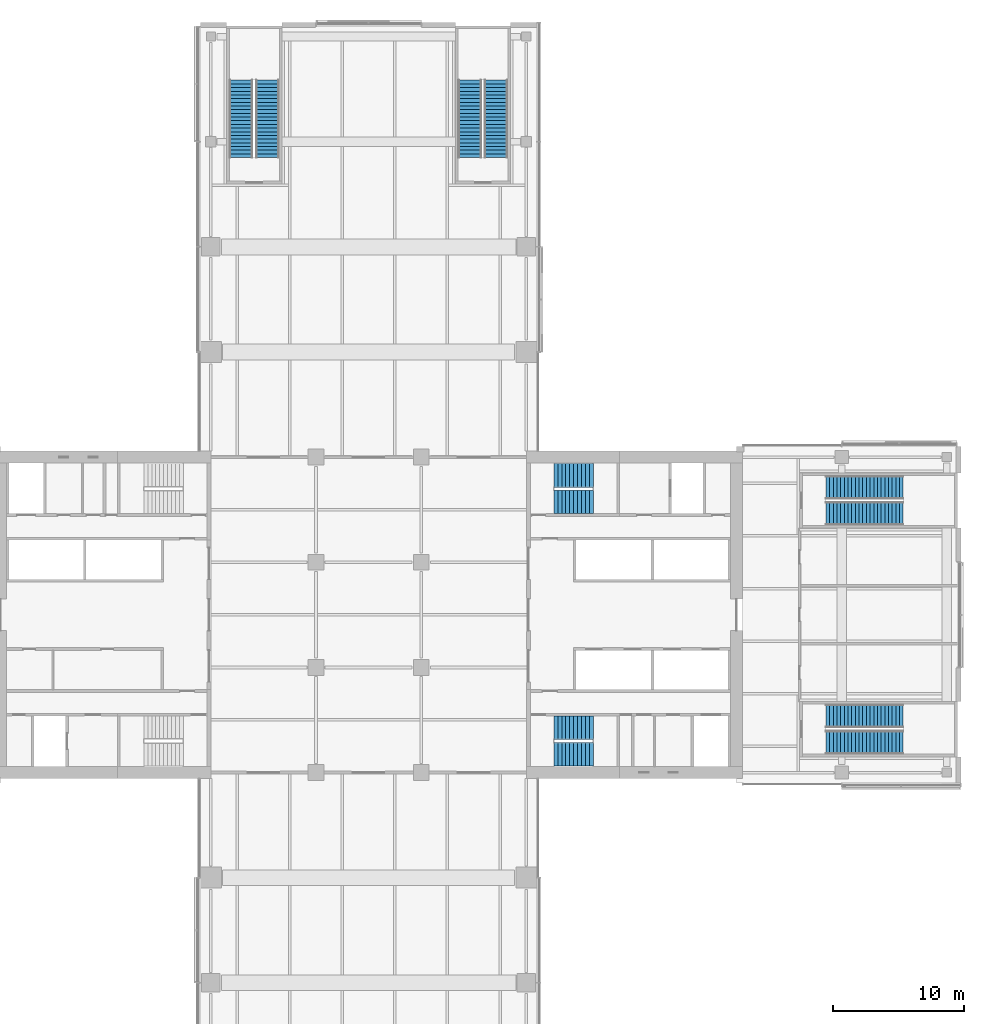
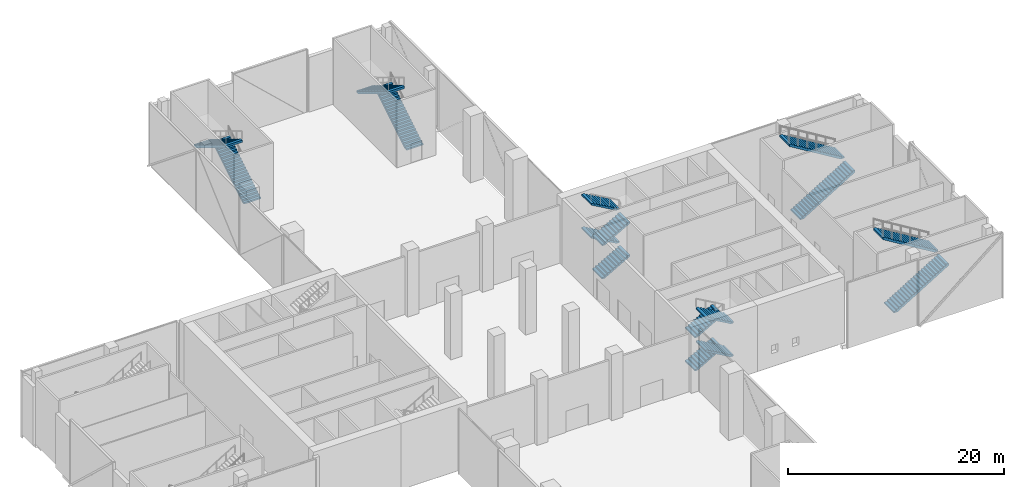
# One storey, part 19 of 25: 16 stair flights, 6 elements without a shape of their own.
"""IFC4 building model written with IfcOpenShell, lengths in metres."""

from ifc_helpers import new_model, si_unit, direction, frame, origin, place, context, subcontext, project, spatial, polyline, outline, extrude, material, type_object, element, aggregate, save


model = new_model("IFC4")

# Units and contexts
model_context = context("Model", 3, precision=1e-05, world=origin(), true_north=direction((0.0, 1.0)))
body_context = subcontext(model_context, "Body", "Model", "MODEL_VIEW")
ifc_project = project(units=[si_unit("LENGTHUNIT", "METRE"), si_unit("AREAUNIT", "SQUARE_METRE"), si_unit("VOLUMEUNIT", "CUBIC_METRE"), si_unit("PLANEANGLEUNIT", "RADIAN"), si_unit("MASSUNIT", "GRAM", prefix="KILO")], contexts=[model_context])

# Site, building, storey
site_placement = place(None, origin())
site = spatial("IfcSite", under=ifc_project, at=site_placement, CompositionType="ELEMENT")
building_placement = place(site_placement, origin())
building = spatial("IfcBuilding", under=site, at=building_placement, Name="Crosswind Convention Tower", CompositionType="ELEMENT")
storey_placement = place(building_placement, frame((0.0, 0.0, 10.0)))
storey = spatial("IfcBuildingStorey", under=building, at=storey_placement, Name="L01", CompositionType="ELEMENT", Elevation=10.0)

# Stair, stair flights
ifc_material = material(Name="Concrete C40/50", Category="concrete")
stair_type_1 = type_object("IfcStairType", Name="PODIUM EXIT STAIR 7500 RISE", PredefinedType="HALF_TURN_STAIR", material=ifc_material)
stair_1_placement = place(storey_placement, origin())
stair_1 = element("IfcStair", 1, at=stair_1_placement, inside=storey, type_object=stair_type_1, Name="Exit stair E1 L01", ObjectType="ST11", PredefinedType="HALF_TURN_STAIR")
stair_flight_type_1 = type_object("IfcStairFlightType", Name="PODIUM STAIR FLIGHT 22 RISERS", PredefinedType="STRAIGHT", material=ifc_material)
stair_flight_1_placement = place(storey_placement, frame((159.800048828125, 90.300048828125, 0.0), z_axis=(0.0, 0.0, 1.0), x_axis=(1.0, 0.0, 0.0)))
stair_flight_1 = element("IfcStairFlight", 2, at=stair_flight_1_placement, type_object=stair_flight_type_1, Name="ST11 flight 1", NumberOfRisers=22, NumberOfTreads=21, PredefinedType="STRAIGHT", RiserHeight=0.170455, TreadLength=0.28, context=body_context, shape_type="SweptSolid", body=[
    extrude(outline(polyline([(0.0, 0.0), (0.0, 0.17041015625), (0.280029296875, 0.17041015625), (0.280029296875, 0.3408203125), (0.56005859375, 0.3408203125), (0.56005859375, 0.511474609375), (0.840087890625, 0.511474609375), (0.840087890625, 0.681884765625), (1.1201171875, 0.681884765625), (1.1201171875, 0.852294921875), (1.39990234375, 0.852294921875), (1.39990234375, 1.022705078125), (1.679931640625, 1.022705078125), (1.679931640625, 1.193115234375), (1.9599609375, 1.193115234375), (1.9599609375, 1.363525390625), (2.239990234375, 1.363525390625), (2.239990234375, 1.5341796875), (2.52001953125, 1.5341796875), (2.52001953125, 1.70458984375), (2.800048828125, 1.70458984375), (2.800048828125, 1.875), (3.080078125, 1.875), (3.080078125, 2.04541015625), (3.360107421875, 2.04541015625), (3.360107421875, 2.2158203125), (3.639892578125, 2.2158203125), (3.639892578125, 2.386474609375), (3.919921875, 2.386474609375), (3.919921875, 2.556884765625), (4.199951171875, 2.556884765625), (4.199951171875, 2.727294921875), (4.47998046875, 2.727294921875), (4.47998046875, 2.897705078125), (4.760009765625, 2.897705078125), (4.760009765625, 3.068115234375), (5.0400390625, 3.068115234375), (5.0400390625, 3.238525390625), (5.320068359375, 3.238525390625), (5.320068359375, 3.4091796875), (5.60009765625, 3.4091796875), (5.60009765625, 3.57958984375), (5.8798828125, 3.57958984375), (5.8798828125, 3.75), (5.8798828125, 3.345458984375), (0.384521484375, 0.0), (0.0, 0.0)])), frame((0.0, 0.89990234375, 0.0), z_axis=(0.0, -1.0, 0.0), x_axis=(1.0, 0.0, 0.0)), (0.0, 0.0, 1.0), 1.800048828125),
])
stair_flight_2_placement = place(storey_placement, frame((165.679931640625, 92.300048828125, 3.75), z_axis=(0.0, 0.0, 1.0), x_axis=(-1.0, 0.0, 0.0)))
stair_flight_2 = element("IfcStairFlight", 3, at=stair_flight_2_placement, type_object=stair_flight_type_1, Name="ST11 flight 2", NumberOfRisers=22, NumberOfTreads=21, PredefinedType="STRAIGHT", RiserHeight=0.170455, TreadLength=0.28, context=body_context, shape_type="SweptSolid", body=[
    extrude(outline(polyline([(0.0, 0.0), (0.0, 0.17041015625), (0.280029296875, 0.17041015625), (0.280029296875, 0.3408203125), (0.56005859375, 0.3408203125), (0.56005859375, 0.511474609375), (0.840087890625, 0.511474609375), (0.840087890625, 0.681884765625), (1.1201171875, 0.681884765625), (1.1201171875, 0.852294921875), (1.39990234375, 0.852294921875), (1.39990234375, 1.022705078125), (1.679931640625, 1.022705078125), (1.679931640625, 1.193115234375), (1.9599609375, 1.193115234375), (1.9599609375, 1.363525390625), (2.239990234375, 1.363525390625), (2.239990234375, 1.5341796875), (2.52001953125, 1.5341796875), (2.52001953125, 1.70458984375), (2.800048828125, 1.70458984375), (2.800048828125, 1.875), (3.080078125, 1.875), (3.080078125, 2.04541015625), (3.360107421875, 2.04541015625), (3.360107421875, 2.2158203125), (3.639892578125, 2.2158203125), (3.639892578125, 2.386474609375), (3.919921875, 2.386474609375), (3.919921875, 2.556884765625), (4.199951171875, 2.556884765625), (4.199951171875, 2.727294921875), (4.47998046875, 2.727294921875), (4.47998046875, 2.897705078125), (4.760009765625, 2.897705078125), (4.760009765625, 3.068115234375), (5.0400390625, 3.068115234375), (5.0400390625, 3.238525390625), (5.320068359375, 3.238525390625), (5.320068359375, 3.4091796875), (5.60009765625, 3.4091796875), (5.60009765625, 3.57958984375), (5.8798828125, 3.57958984375), (5.8798828125, 3.75), (5.8798828125, 3.345458984375), (0.384521484375, 0.0), (0.0, 0.0)])), frame((0.0, 0.89990234375, 0.0), z_axis=(0.0, -1.0, 0.0), x_axis=(1.0, 0.0, 0.0)), (0.0, 0.0, 1.0), 1.800048828125),
])
aggregate(stair_1, [stair_flight_1, stair_flight_2])

stair_2_placement = place(storey_placement, origin())
stair_2 = element("IfcStair", 4, at=stair_2_placement, inside=storey, type_object=stair_type_1, Name="Exit stair E2 L01", ObjectType="ST11", PredefinedType="HALF_TURN_STAIR")
stair_flight_3_placement = place(storey_placement, frame((159.800048828125, 107.699951171875, 0.0), z_axis=(0.0, 0.0, 1.0), x_axis=(1.0, 0.0, 0.0)))
stair_flight_3 = element("IfcStairFlight", 5, at=stair_flight_3_placement, type_object=stair_flight_type_1, Name="ST11 flight 1", NumberOfRisers=22, NumberOfTreads=21, PredefinedType="STRAIGHT", RiserHeight=0.170455, TreadLength=0.28, context=body_context, shape_type="SweptSolid", body=[
    extrude(outline(polyline([(0.0, 0.0), (0.0, 0.17041015625), (0.280029296875, 0.17041015625), (0.280029296875, 0.3408203125), (0.56005859375, 0.3408203125), (0.56005859375, 0.511474609375), (0.840087890625, 0.511474609375), (0.840087890625, 0.681884765625), (1.1201171875, 0.681884765625), (1.1201171875, 0.852294921875), (1.39990234375, 0.852294921875), (1.39990234375, 1.022705078125), (1.679931640625, 1.022705078125), (1.679931640625, 1.193115234375), (1.9599609375, 1.193115234375), (1.9599609375, 1.363525390625), (2.239990234375, 1.363525390625), (2.239990234375, 1.5341796875), (2.52001953125, 1.5341796875), (2.52001953125, 1.70458984375), (2.800048828125, 1.70458984375), (2.800048828125, 1.875), (3.080078125, 1.875), (3.080078125, 2.04541015625), (3.360107421875, 2.04541015625), (3.360107421875, 2.2158203125), (3.639892578125, 2.2158203125), (3.639892578125, 2.386474609375), (3.919921875, 2.386474609375), (3.919921875, 2.556884765625), (4.199951171875, 2.556884765625), (4.199951171875, 2.727294921875), (4.47998046875, 2.727294921875), (4.47998046875, 2.897705078125), (4.760009765625, 2.897705078125), (4.760009765625, 3.068115234375), (5.0400390625, 3.068115234375), (5.0400390625, 3.238525390625), (5.320068359375, 3.238525390625), (5.320068359375, 3.4091796875), (5.60009765625, 3.4091796875), (5.60009765625, 3.57958984375), (5.8798828125, 3.57958984375), (5.8798828125, 3.75), (5.8798828125, 3.345458984375), (0.384521484375, 0.0), (0.0, 0.0)])), frame((0.0, 0.89990234375, 0.0), z_axis=(0.0, -1.0, 0.0), x_axis=(1.0, 0.0, 0.0)), (0.0, 0.0, 1.0), 1.800048828125),
])
stair_flight_4_placement = place(storey_placement, frame((165.679931640625, 109.699951171875, 3.75), z_axis=(0.0, 0.0, 1.0), x_axis=(-1.0, 0.0, 0.0)))
stair_flight_4 = element("IfcStairFlight", 6, at=stair_flight_4_placement, type_object=stair_flight_type_1, Name="ST11 flight 2", NumberOfRisers=22, NumberOfTreads=21, PredefinedType="STRAIGHT", RiserHeight=0.170455, TreadLength=0.28, context=body_context, shape_type="SweptSolid", body=[
    extrude(outline(polyline([(0.0, 0.0), (0.0, 0.17041015625), (0.280029296875, 0.17041015625), (0.280029296875, 0.3408203125), (0.56005859375, 0.3408203125), (0.56005859375, 0.511474609375), (0.840087890625, 0.511474609375), (0.840087890625, 0.681884765625), (1.1201171875, 0.681884765625), (1.1201171875, 0.852294921875), (1.39990234375, 0.852294921875), (1.39990234375, 1.022705078125), (1.679931640625, 1.022705078125), (1.679931640625, 1.193115234375), (1.9599609375, 1.193115234375), (1.9599609375, 1.363525390625), (2.239990234375, 1.363525390625), (2.239990234375, 1.5341796875), (2.52001953125, 1.5341796875), (2.52001953125, 1.70458984375), (2.800048828125, 1.70458984375), (2.800048828125, 1.875), (3.080078125, 1.875), (3.080078125, 2.04541015625), (3.360107421875, 2.04541015625), (3.360107421875, 2.2158203125), (3.639892578125, 2.2158203125), (3.639892578125, 2.386474609375), (3.919921875, 2.386474609375), (3.919921875, 2.556884765625), (4.199951171875, 2.556884765625), (4.199951171875, 2.727294921875), (4.47998046875, 2.727294921875), (4.47998046875, 2.897705078125), (4.760009765625, 2.897705078125), (4.760009765625, 3.068115234375), (5.0400390625, 3.068115234375), (5.0400390625, 3.238525390625), (5.320068359375, 3.238525390625), (5.320068359375, 3.4091796875), (5.60009765625, 3.4091796875), (5.60009765625, 3.57958984375), (5.8798828125, 3.57958984375), (5.8798828125, 3.75), (5.8798828125, 3.345458984375), (0.384521484375, 0.0), (0.0, 0.0)])), frame((0.0, 0.89990234375, 0.0), z_axis=(0.0, -1.0, 0.0), x_axis=(1.0, 0.0, 0.0)), (0.0, 0.0, 1.0), 1.800048828125),
])
aggregate(stair_2, [stair_flight_3, stair_flight_4])

stair_3_placement = place(storey_placement, origin())
stair_3 = element("IfcStair", 7, at=stair_3_placement, inside=storey, type_object=stair_type_1, Name="Exit stair N1 L01", ObjectType="ST11", PredefinedType="HALF_TURN_STAIR")
stair_flight_5_placement = place(storey_placement, frame((117.300048828125, 134.800048828125, 0.0), z_axis=(0.0, 0.0, 1.0), x_axis=(0.0, 1.0, 0.0)))
stair_flight_5 = element("IfcStairFlight", 8, at=stair_flight_5_placement, type_object=stair_flight_type_1, Name="ST11 flight 1", NumberOfRisers=22, NumberOfTreads=21, PredefinedType="STRAIGHT", RiserHeight=0.170455, TreadLength=0.28, context=body_context, shape_type="SweptSolid", body=[
    extrude(outline(polyline([(0.0, 0.0), (0.0, 0.17041015625), (0.280029296875, 0.17041015625), (0.280029296875, 0.3408203125), (0.56005859375, 0.3408203125), (0.56005859375, 0.511474609375), (0.840087890625, 0.511474609375), (0.840087890625, 0.681884765625), (1.1201171875, 0.681884765625), (1.1201171875, 0.852294921875), (1.39990234375, 0.852294921875), (1.39990234375, 1.022705078125), (1.679931640625, 1.022705078125), (1.679931640625, 1.193115234375), (1.9599609375, 1.193115234375), (1.9599609375, 1.363525390625), (2.239990234375, 1.363525390625), (2.239990234375, 1.5341796875), (2.52001953125, 1.5341796875), (2.52001953125, 1.70458984375), (2.800048828125, 1.70458984375), (2.800048828125, 1.875), (3.080078125, 1.875), (3.080078125, 2.04541015625), (3.360107421875, 2.04541015625), (3.360107421875, 2.2158203125), (3.639892578125, 2.2158203125), (3.639892578125, 2.386474609375), (3.919921875, 2.386474609375), (3.919921875, 2.556884765625), (4.199951171875, 2.556884765625), (4.199951171875, 2.727294921875), (4.47998046875, 2.727294921875), (4.47998046875, 2.897705078125), (4.760009765625, 2.897705078125), (4.760009765625, 3.068115234375), (5.0400390625, 3.068115234375), (5.0400390625, 3.238525390625), (5.320068359375, 3.238525390625), (5.320068359375, 3.4091796875), (5.60009765625, 3.4091796875), (5.60009765625, 3.57958984375), (5.8798828125, 3.57958984375), (5.8798828125, 3.75), (5.8798828125, 3.345458984375), (0.384521484375, 0.0), (0.0, 0.0)])), frame((0.0, 0.89990234375, 0.0), z_axis=(0.0, -1.0, 0.0), x_axis=(1.0, 0.0, 0.0)), (0.0, 0.0, 1.0), 1.800048828125),
])
stair_flight_6_placement = place(storey_placement, frame((115.300048828125, 140.679931640625, 3.75), z_axis=(0.0, 0.0, 1.0), x_axis=(0.0, -1.0, 0.0)))
stair_flight_6 = element("IfcStairFlight", 9, at=stair_flight_6_placement, type_object=stair_flight_type_1, Name="ST11 flight 2", NumberOfRisers=22, NumberOfTreads=21, PredefinedType="STRAIGHT", RiserHeight=0.170455, TreadLength=0.28, context=body_context, shape_type="SweptSolid", body=[
    extrude(outline(polyline([(0.0, 0.0), (0.0, 0.17041015625), (0.280029296875, 0.17041015625), (0.280029296875, 0.3408203125), (0.56005859375, 0.3408203125), (0.56005859375, 0.511474609375), (0.840087890625, 0.511474609375), (0.840087890625, 0.681884765625), (1.1201171875, 0.681884765625), (1.1201171875, 0.852294921875), (1.39990234375, 0.852294921875), (1.39990234375, 1.022705078125), (1.679931640625, 1.022705078125), (1.679931640625, 1.193115234375), (1.9599609375, 1.193115234375), (1.9599609375, 1.363525390625), (2.239990234375, 1.363525390625), (2.239990234375, 1.5341796875), (2.52001953125, 1.5341796875), (2.52001953125, 1.70458984375), (2.800048828125, 1.70458984375), (2.800048828125, 1.875), (3.080078125, 1.875), (3.080078125, 2.04541015625), (3.360107421875, 2.04541015625), (3.360107421875, 2.2158203125), (3.639892578125, 2.2158203125), (3.639892578125, 2.386474609375), (3.919921875, 2.386474609375), (3.919921875, 2.556884765625), (4.199951171875, 2.556884765625), (4.199951171875, 2.727294921875), (4.47998046875, 2.727294921875), (4.47998046875, 2.897705078125), (4.760009765625, 2.897705078125), (4.760009765625, 3.068115234375), (5.0400390625, 3.068115234375), (5.0400390625, 3.238525390625), (5.320068359375, 3.238525390625), (5.320068359375, 3.4091796875), (5.60009765625, 3.4091796875), (5.60009765625, 3.57958984375), (5.8798828125, 3.57958984375), (5.8798828125, 3.75), (5.8798828125, 3.345458984375), (0.384521484375, 0.0), (0.0, 0.0)])), frame((0.0, 0.89990234375, 0.0), z_axis=(0.0, -1.0, 0.0), x_axis=(1.0, 0.0, 0.0)), (0.0, 0.0, 1.0), 1.800048828125),
])
aggregate(stair_3, [stair_flight_5, stair_flight_6])

stair_4_placement = place(storey_placement, origin())
stair_4 = element("IfcStair", 10, at=stair_4_placement, inside=storey, type_object=stair_type_1, Name="Exit stair N2 L01", ObjectType="ST11", PredefinedType="HALF_TURN_STAIR")
stair_flight_7_placement = place(storey_placement, frame((134.699951171875, 134.800048828125, 0.0), z_axis=(0.0, 0.0, 1.0), x_axis=(0.0, 1.0, 0.0)))
stair_flight_7 = element("IfcStairFlight", 11, at=stair_flight_7_placement, type_object=stair_flight_type_1, Name="ST11 flight 1", NumberOfRisers=22, NumberOfTreads=21, PredefinedType="STRAIGHT", RiserHeight=0.170455, TreadLength=0.28, context=body_context, shape_type="SweptSolid", body=[
    extrude(outline(polyline([(0.0, 0.0), (0.0, 0.17041015625), (0.280029296875, 0.17041015625), (0.280029296875, 0.3408203125), (0.56005859375, 0.3408203125), (0.56005859375, 0.511474609375), (0.840087890625, 0.511474609375), (0.840087890625, 0.681884765625), (1.1201171875, 0.681884765625), (1.1201171875, 0.852294921875), (1.39990234375, 0.852294921875), (1.39990234375, 1.022705078125), (1.679931640625, 1.022705078125), (1.679931640625, 1.193115234375), (1.9599609375, 1.193115234375), (1.9599609375, 1.363525390625), (2.239990234375, 1.363525390625), (2.239990234375, 1.5341796875), (2.52001953125, 1.5341796875), (2.52001953125, 1.70458984375), (2.800048828125, 1.70458984375), (2.800048828125, 1.875), (3.080078125, 1.875), (3.080078125, 2.04541015625), (3.360107421875, 2.04541015625), (3.360107421875, 2.2158203125), (3.639892578125, 2.2158203125), (3.639892578125, 2.386474609375), (3.919921875, 2.386474609375), (3.919921875, 2.556884765625), (4.199951171875, 2.556884765625), (4.199951171875, 2.727294921875), (4.47998046875, 2.727294921875), (4.47998046875, 2.897705078125), (4.760009765625, 2.897705078125), (4.760009765625, 3.068115234375), (5.0400390625, 3.068115234375), (5.0400390625, 3.238525390625), (5.320068359375, 3.238525390625), (5.320068359375, 3.4091796875), (5.60009765625, 3.4091796875), (5.60009765625, 3.57958984375), (5.8798828125, 3.57958984375), (5.8798828125, 3.75), (5.8798828125, 3.345458984375), (0.384521484375, 0.0), (0.0, 0.0)])), frame((0.0, 0.89990234375, 0.0), z_axis=(0.0, -1.0, 0.0), x_axis=(1.0, 0.0, 0.0)), (0.0, 0.0, 1.0), 1.800048828125),
])
stair_flight_8_placement = place(storey_placement, frame((132.699951171875, 140.679931640625, 3.75), z_axis=(0.0, 0.0, 1.0), x_axis=(0.0, -1.0, 0.0)))
stair_flight_8 = element("IfcStairFlight", 12, at=stair_flight_8_placement, type_object=stair_flight_type_1, Name="ST11 flight 2", NumberOfRisers=22, NumberOfTreads=21, PredefinedType="STRAIGHT", RiserHeight=0.170455, TreadLength=0.28, context=body_context, shape_type="SweptSolid", body=[
    extrude(outline(polyline([(0.0, 0.0), (0.0, 0.17041015625), (0.280029296875, 0.17041015625), (0.280029296875, 0.3408203125), (0.56005859375, 0.3408203125), (0.56005859375, 0.511474609375), (0.840087890625, 0.511474609375), (0.840087890625, 0.681884765625), (1.1201171875, 0.681884765625), (1.1201171875, 0.852294921875), (1.39990234375, 0.852294921875), (1.39990234375, 1.022705078125), (1.679931640625, 1.022705078125), (1.679931640625, 1.193115234375), (1.9599609375, 1.193115234375), (1.9599609375, 1.363525390625), (2.239990234375, 1.363525390625), (2.239990234375, 1.5341796875), (2.52001953125, 1.5341796875), (2.52001953125, 1.70458984375), (2.800048828125, 1.70458984375), (2.800048828125, 1.875), (3.080078125, 1.875), (3.080078125, 2.04541015625), (3.360107421875, 2.04541015625), (3.360107421875, 2.2158203125), (3.639892578125, 2.2158203125), (3.639892578125, 2.386474609375), (3.919921875, 2.386474609375), (3.919921875, 2.556884765625), (4.199951171875, 2.556884765625), (4.199951171875, 2.727294921875), (4.47998046875, 2.727294921875), (4.47998046875, 2.897705078125), (4.760009765625, 2.897705078125), (4.760009765625, 3.068115234375), (5.0400390625, 3.068115234375), (5.0400390625, 3.238525390625), (5.320068359375, 3.238525390625), (5.320068359375, 3.4091796875), (5.60009765625, 3.4091796875), (5.60009765625, 3.57958984375), (5.8798828125, 3.57958984375), (5.8798828125, 3.75), (5.8798828125, 3.345458984375), (0.384521484375, 0.0), (0.0, 0.0)])), frame((0.0, 0.89990234375, 0.0), z_axis=(0.0, -1.0, 0.0), x_axis=(1.0, 0.0, 0.0)), (0.0, 0.0, 1.0), 1.800048828125),
])
aggregate(stair_4, [stair_flight_7, stair_flight_8])

stair_type_2 = type_object("IfcStairType", Name="Exit stair 1800 wide, 4 flights of 11 risers", PredefinedType="HALF_TURN_STAIR", material=ifc_material)
stair_5_placement = place(storey_placement, origin())
stair_5 = element("IfcStair", 13, at=stair_5_placement, inside=storey, type_object=stair_type_2, Name="Exit stair ST1 L01", ObjectType="ST6", PredefinedType="HALF_TURN_STAIR")
stair_flight_type_2 = type_object("IfcStairFlightType", Name="Stair flight 1800 wide, 11 risers (SF3)", PredefinedType="STRAIGHT", material=ifc_material)
stair_flight_9_placement = place(storey_placement, frame((139.10009765625, 108.60009765625, 0.0), z_axis=(0.0, 0.0, 1.0), x_axis=(1.0, 0.0, 0.0)))
stair_flight_9 = element("IfcStairFlight", 14, at=stair_flight_9_placement, type_object=stair_flight_type_2, Name="ST1 flight 1", NumberOfRisers=11, NumberOfTreads=10, PredefinedType="STRAIGHT", RiserHeight=0.170454545, TreadLength=0.3, context=body_context, shape_type="SweptSolid", body=[
    extrude(outline(polyline([(0.0, 0.0), (0.0, 0.17041015625), (0.300048828125, 0.17041015625), (0.300048828125, 0.3408203125), (0.60009765625, 0.3408203125), (0.60009765625, 0.511474609375), (0.89990234375, 0.511474609375), (0.89990234375, 0.681884765625), (1.199951171875, 0.681884765625), (1.199951171875, 0.852294921875), (1.5, 0.852294921875), (1.5, 1.022705078125), (1.800048828125, 1.022705078125), (1.800048828125, 1.193115234375), (2.10009765625, 1.193115234375), (2.10009765625, 1.363525390625), (2.39990234375, 1.363525390625), (2.39990234375, 1.5341796875), (2.699951171875, 1.5341796875), (2.699951171875, 1.70458984375), (3.0, 1.70458984375), (3.0, 1.875), (3.0, 1.5322265625), (0.303466796875, 0.0), (0.0, 0.0)])), frame((0.0, 0.89990234375, 0.0), z_axis=(0.0, -1.0, 0.0), x_axis=(1.0, 0.0, 0.0)), (0.0, 0.0, 1.0), 1.800048828125),
])
stair_flight_10_placement = place(storey_placement, frame((142.10009765625, 110.60009765625, 1.875), z_axis=(0.0, 0.0, 1.0), x_axis=(-1.0, 0.0, 0.0)))
stair_flight_10 = element("IfcStairFlight", 15, at=stair_flight_10_placement, type_object=stair_flight_type_2, Name="ST1 flight 2", NumberOfRisers=11, NumberOfTreads=10, PredefinedType="STRAIGHT", RiserHeight=0.170454545, TreadLength=0.3, context=body_context, shape_type="SweptSolid", body=[
    extrude(outline(polyline([(0.0, 0.0), (0.0, 0.17041015625), (0.300048828125, 0.17041015625), (0.300048828125, 0.3408203125), (0.60009765625, 0.3408203125), (0.60009765625, 0.511474609375), (0.89990234375, 0.511474609375), (0.89990234375, 0.681884765625), (1.199951171875, 0.681884765625), (1.199951171875, 0.852294921875), (1.5, 0.852294921875), (1.5, 1.022705078125), (1.800048828125, 1.022705078125), (1.800048828125, 1.193115234375), (2.10009765625, 1.193115234375), (2.10009765625, 1.363525390625), (2.39990234375, 1.363525390625), (2.39990234375, 1.5341796875), (2.699951171875, 1.5341796875), (2.699951171875, 1.70458984375), (3.0, 1.70458984375), (3.0, 1.875), (3.0, 1.5322265625), (0.303466796875, 0.0), (0.0, 0.0)])), frame((0.0, 0.89990234375, 0.0), z_axis=(0.0, -1.0, 0.0), x_axis=(1.0, 0.0, 0.0)), (0.0, 0.0, 1.0), 1.800048828125),
])
stair_flight_11_placement = place(storey_placement, frame((139.10009765625, 108.60009765625, 3.75), z_axis=(0.0, 0.0, 1.0), x_axis=(1.0, 0.0, 0.0)))
stair_flight_11 = element("IfcStairFlight", 16, at=stair_flight_11_placement, type_object=stair_flight_type_2, Name="ST1 flight 3", NumberOfRisers=11, NumberOfTreads=10, PredefinedType="STRAIGHT", RiserHeight=0.170454545, TreadLength=0.3, context=body_context, shape_type="SweptSolid", body=[
    extrude(outline(polyline([(0.0, 0.0), (0.0, 0.17041015625), (0.300048828125, 0.17041015625), (0.300048828125, 0.3408203125), (0.60009765625, 0.3408203125), (0.60009765625, 0.511474609375), (0.89990234375, 0.511474609375), (0.89990234375, 0.681884765625), (1.199951171875, 0.681884765625), (1.199951171875, 0.852294921875), (1.5, 0.852294921875), (1.5, 1.022705078125), (1.800048828125, 1.022705078125), (1.800048828125, 1.193115234375), (2.10009765625, 1.193115234375), (2.10009765625, 1.363525390625), (2.39990234375, 1.363525390625), (2.39990234375, 1.5341796875), (2.699951171875, 1.5341796875), (2.699951171875, 1.70458984375), (3.0, 1.70458984375), (3.0, 1.875), (3.0, 1.5322265625), (0.303466796875, 0.0), (0.0, 0.0)])), frame((0.0, 0.89990234375, 0.0), z_axis=(0.0, -1.0, 0.0), x_axis=(1.0, 0.0, 0.0)), (0.0, 0.0, 1.0), 1.800048828125),
])
stair_flight_12_placement = place(storey_placement, frame((142.10009765625, 110.60009765625, 5.625), z_axis=(0.0, 0.0, 1.0), x_axis=(-1.0, 0.0, 0.0)))
stair_flight_12 = element("IfcStairFlight", 17, at=stair_flight_12_placement, type_object=stair_flight_type_2, Name="ST1 flight 4", NumberOfRisers=11, NumberOfTreads=10, PredefinedType="STRAIGHT", RiserHeight=0.170454545, TreadLength=0.3, context=body_context, shape_type="SweptSolid", body=[
    extrude(outline(polyline([(0.0, 0.0), (0.0, 0.17041015625), (0.300048828125, 0.17041015625), (0.300048828125, 0.3408203125), (0.60009765625, 0.3408203125), (0.60009765625, 0.511474609375), (0.89990234375, 0.511474609375), (0.89990234375, 0.681884765625), (1.199951171875, 0.681884765625), (1.199951171875, 0.852294921875), (1.5, 0.852294921875), (1.5, 1.022705078125), (1.800048828125, 1.022705078125), (1.800048828125, 1.193115234375), (2.10009765625, 1.193115234375), (2.10009765625, 1.363525390625), (2.39990234375, 1.363525390625), (2.39990234375, 1.5341796875), (2.699951171875, 1.5341796875), (2.699951171875, 1.70458984375), (3.0, 1.70458984375), (3.0, 1.875), (3.0, 1.5322265625), (0.303466796875, 0.0), (0.0, 0.0)])), frame((0.0, 0.89990234375, 0.0), z_axis=(0.0, -1.0, 0.0), x_axis=(1.0, 0.0, 0.0)), (0.0, 0.0, 1.0), 1.800048828125),
])
aggregate(stair_5, [stair_flight_9, stair_flight_10, stair_flight_11, stair_flight_12])

stair_6_placement = place(storey_placement, origin())
stair_6 = element("IfcStair", 18, at=stair_6_placement, inside=storey, type_object=stair_type_2, Name="Exit stair ST2 L01", ObjectType="ST6", PredefinedType="HALF_TURN_STAIR")
stair_flight_13_placement = place(storey_placement, frame((139.10009765625, 91.39990234375, 0.0), z_axis=(0.0, 0.0, 1.0), x_axis=(1.0, 0.0, 0.0)))
stair_flight_13 = element("IfcStairFlight", 19, at=stair_flight_13_placement, type_object=stair_flight_type_2, Name="ST2 flight 1", NumberOfRisers=11, NumberOfTreads=10, PredefinedType="STRAIGHT", RiserHeight=0.170454545, TreadLength=0.3, context=body_context, shape_type="SweptSolid", body=[
    extrude(outline(polyline([(0.0, 0.0), (0.0, 0.17041015625), (0.300048828125, 0.17041015625), (0.300048828125, 0.3408203125), (0.60009765625, 0.3408203125), (0.60009765625, 0.511474609375), (0.89990234375, 0.511474609375), (0.89990234375, 0.681884765625), (1.199951171875, 0.681884765625), (1.199951171875, 0.852294921875), (1.5, 0.852294921875), (1.5, 1.022705078125), (1.800048828125, 1.022705078125), (1.800048828125, 1.193115234375), (2.10009765625, 1.193115234375), (2.10009765625, 1.363525390625), (2.39990234375, 1.363525390625), (2.39990234375, 1.5341796875), (2.699951171875, 1.5341796875), (2.699951171875, 1.70458984375), (3.0, 1.70458984375), (3.0, 1.875), (3.0, 1.5322265625), (0.303466796875, 0.0), (0.0, 0.0)])), frame((0.0, 0.89990234375, 0.0), z_axis=(0.0, -1.0, 0.0), x_axis=(1.0, 0.0, 0.0)), (0.0, 0.0, 1.0), 1.800048828125),
])
stair_flight_14_placement = place(storey_placement, frame((142.10009765625, 89.39990234375, 1.875), z_axis=(0.0, 0.0, 1.0), x_axis=(-1.0, 0.0, 0.0)))
stair_flight_14 = element("IfcStairFlight", 20, at=stair_flight_14_placement, type_object=stair_flight_type_2, Name="ST2 flight 2", NumberOfRisers=11, NumberOfTreads=10, PredefinedType="STRAIGHT", RiserHeight=0.170454545, TreadLength=0.3, context=body_context, shape_type="SweptSolid", body=[
    extrude(outline(polyline([(0.0, 0.0), (0.0, 0.17041015625), (0.300048828125, 0.17041015625), (0.300048828125, 0.3408203125), (0.60009765625, 0.3408203125), (0.60009765625, 0.511474609375), (0.89990234375, 0.511474609375), (0.89990234375, 0.681884765625), (1.199951171875, 0.681884765625), (1.199951171875, 0.852294921875), (1.5, 0.852294921875), (1.5, 1.022705078125), (1.800048828125, 1.022705078125), (1.800048828125, 1.193115234375), (2.10009765625, 1.193115234375), (2.10009765625, 1.363525390625), (2.39990234375, 1.363525390625), (2.39990234375, 1.5341796875), (2.699951171875, 1.5341796875), (2.699951171875, 1.70458984375), (3.0, 1.70458984375), (3.0, 1.875), (3.0, 1.5322265625), (0.303466796875, 0.0), (0.0, 0.0)])), frame((0.0, 0.89990234375, 0.0), z_axis=(0.0, -1.0, 0.0), x_axis=(1.0, 0.0, 0.0)), (0.0, 0.0, 1.0), 1.800048828125),
])
stair_flight_15_placement = place(storey_placement, frame((139.10009765625, 91.39990234375, 3.75), z_axis=(0.0, 0.0, 1.0), x_axis=(1.0, 0.0, 0.0)))
stair_flight_15 = element("IfcStairFlight", 21, at=stair_flight_15_placement, type_object=stair_flight_type_2, Name="ST2 flight 3", NumberOfRisers=11, NumberOfTreads=10, PredefinedType="STRAIGHT", RiserHeight=0.170454545, TreadLength=0.3, context=body_context, shape_type="SweptSolid", body=[
    extrude(outline(polyline([(0.0, 0.0), (0.0, 0.17041015625), (0.300048828125, 0.17041015625), (0.300048828125, 0.3408203125), (0.60009765625, 0.3408203125), (0.60009765625, 0.511474609375), (0.89990234375, 0.511474609375), (0.89990234375, 0.681884765625), (1.199951171875, 0.681884765625), (1.199951171875, 0.852294921875), (1.5, 0.852294921875), (1.5, 1.022705078125), (1.800048828125, 1.022705078125), (1.800048828125, 1.193115234375), (2.10009765625, 1.193115234375), (2.10009765625, 1.363525390625), (2.39990234375, 1.363525390625), (2.39990234375, 1.5341796875), (2.699951171875, 1.5341796875), (2.699951171875, 1.70458984375), (3.0, 1.70458984375), (3.0, 1.875), (3.0, 1.5322265625), (0.303466796875, 0.0), (0.0, 0.0)])), frame((0.0, 0.89990234375, 0.0), z_axis=(0.0, -1.0, 0.0), x_axis=(1.0, 0.0, 0.0)), (0.0, 0.0, 1.0), 1.800048828125),
])
stair_flight_16_placement = place(storey_placement, frame((142.10009765625, 89.39990234375, 5.625), z_axis=(0.0, 0.0, 1.0), x_axis=(-1.0, 0.0, 0.0)))
stair_flight_16 = element("IfcStairFlight", 22, at=stair_flight_16_placement, type_object=stair_flight_type_2, Name="ST2 flight 4", NumberOfRisers=11, NumberOfTreads=10, PredefinedType="STRAIGHT", RiserHeight=0.170454545, TreadLength=0.3, context=body_context, shape_type="SweptSolid", body=[
    extrude(outline(polyline([(0.0, 0.0), (0.0, 0.17041015625), (0.300048828125, 0.17041015625), (0.300048828125, 0.3408203125), (0.60009765625, 0.3408203125), (0.60009765625, 0.511474609375), (0.89990234375, 0.511474609375), (0.89990234375, 0.681884765625), (1.199951171875, 0.681884765625), (1.199951171875, 0.852294921875), (1.5, 0.852294921875), (1.5, 1.022705078125), (1.800048828125, 1.022705078125), (1.800048828125, 1.193115234375), (2.10009765625, 1.193115234375), (2.10009765625, 1.363525390625), (2.39990234375, 1.363525390625), (2.39990234375, 1.5341796875), (2.699951171875, 1.5341796875), (2.699951171875, 1.70458984375), (3.0, 1.70458984375), (3.0, 1.875), (3.0, 1.5322265625), (0.303466796875, 0.0), (0.0, 0.0)])), frame((0.0, 0.89990234375, 0.0), z_axis=(0.0, -1.0, 0.0), x_axis=(1.0, 0.0, 0.0)), (0.0, 0.0, 1.0), 1.800048828125),
])
aggregate(stair_6, [stair_flight_13, stair_flight_14, stair_flight_15, stair_flight_16])

save(model, "model.ifc")
